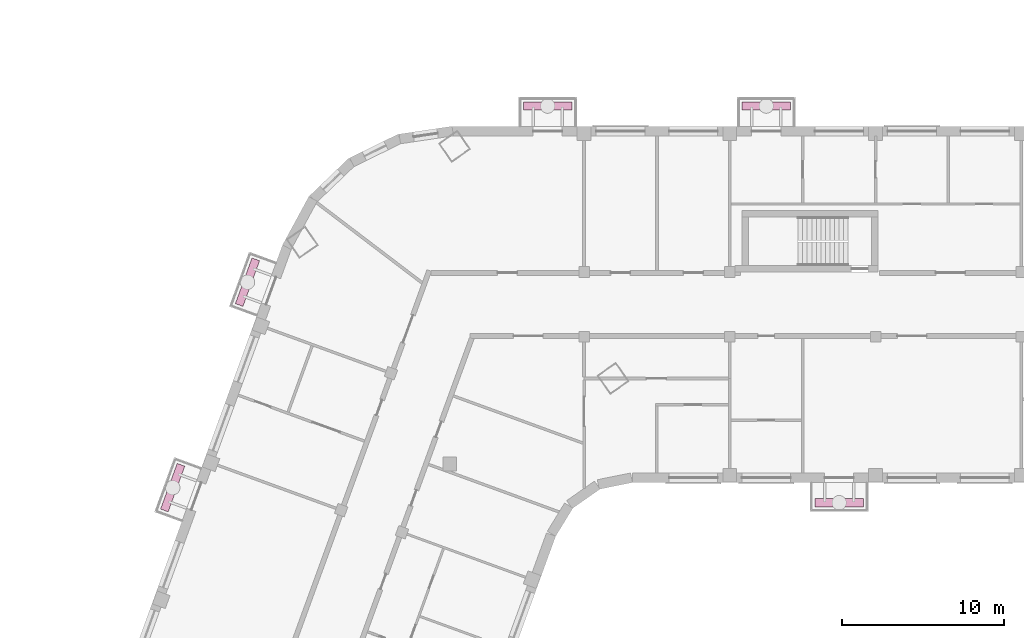
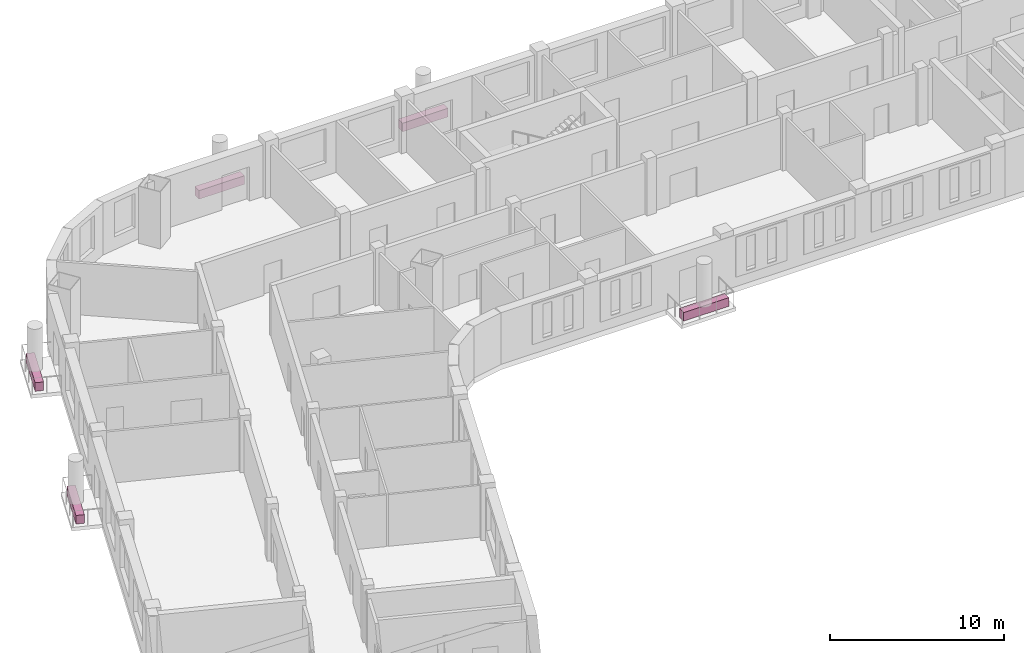
# One storey, part 12 of 13: 5 furniture elements.
"""IFC4 building model written with IfcOpenShell, lengths in metres."""

from ifc_helpers import new_model, si_unit, direction, frame, origin, origin_2d, place, context, subcontext, project, spatial, rectangle, extrude, element, save


model = new_model("IFC4")

# Units and contexts
model_context = context("Model", 3, precision=1e-05, world=origin(), true_north=direction((0.0, 1.0)))
body_context = subcontext(model_context, "Body", "Model", "MODEL_VIEW")
ifc_project = project(units=[si_unit("LENGTHUNIT", "METRE"), si_unit("AREAUNIT", "SQUARE_METRE"), si_unit("VOLUMEUNIT", "CUBIC_METRE"), si_unit("PLANEANGLEUNIT", "RADIAN"), si_unit("MASSUNIT", "GRAM", prefix="KILO")], contexts=[model_context])

# Site, building, storey
site_placement = place(None, origin())
site = spatial("IfcSite", under=ifc_project, at=site_placement, CompositionType="ELEMENT")
building_placement = place(site_placement, origin())
building = spatial("IfcBuilding", under=site, at=building_placement, Name="Skarvind Civic Tower", CompositionType="ELEMENT")
storey_placement = place(building_placement, frame((0.0, 0.0, 93.0)))
storey = spatial("IfcBuildingStorey", under=building, at=storey_placement, Name="L21", CompositionType="ELEMENT", Elevation=93.0)

# Furniture
for number, where, z_axis, x_axis, name in (
    (1, (70.0, 115.75, 0.0), (0.0, 0.0, 1.0), (-1.0, 0.0, 0.0), "TREE BALCONY PLANTER"),
    (2, (52.0, 140.25, 0.0), (0.0, 0.0, 1.0), (1.0, 0.0, 0.0), "TREE BALCONY PLANTER"),
    (3, (65.5, 140.25, 0.0), (0.0, 0.0, 1.0), (1.0, 0.0, 0.0), "TREE BALCONY PLANTER"),
    (4, (28.845458984375, 116.684814453125, 0.0), (0.0, 0.0, 1.0), (0.342020143326, 0.939692620786, 0.0), "TREE BALCONY PLANTER"),
    (5, (33.462646484375, 129.37060546875, 0.0), (0.0, 0.0, 1.0), (0.342020143326, 0.939692620786, 0.0), "TREE BALCONY PLANTER"),
):
    element("IfcFurniture", number, at=place(storey_placement, frame(where, z_axis=z_axis, x_axis=x_axis)), inside=storey, Name=name, ObjectType="PLANTER", PredefinedType="USERDEFINED", context=body_context, shape_type="SweptSolid", body=[
        extrude(rectangle(XDim=3.0, YDim=0.5, at=origin_2d()), origin(), (0.0, 0.0, 1.0), 0.60009765625),
    ])

save(model, "model.ifc")
